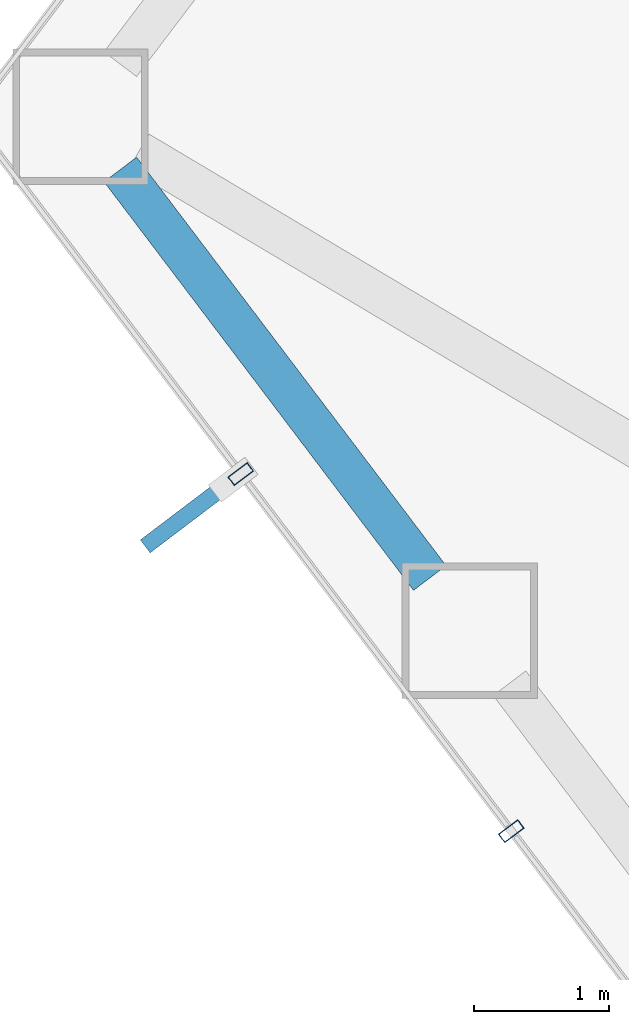
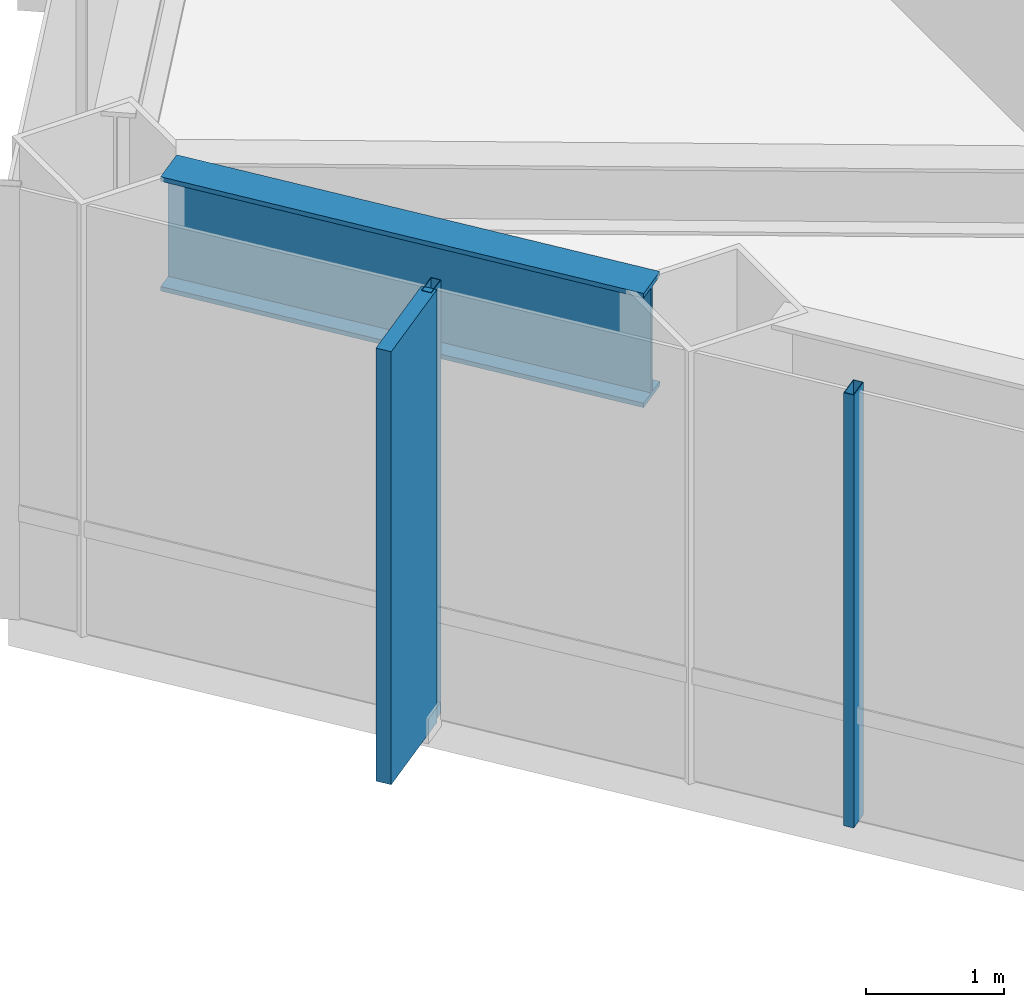
# One storey, part 4 of 25: 3 members, 1 beam, 1 element without a shape of its own.
"""IFC4 building model written with IfcOpenShell, lengths in metres."""

from ifc_helpers import new_model, si_unit, direction, frame, origin, origin_2d, place, context, subcontext, project, spatial, rectangle, hollow_rectangle, i_section, extrude, material, layer, layer_set, material_profile, profile_set, type_object, element, aggregate, save


model = new_model("IFC4")

# Units and contexts
model_context = context("Model", 3, precision=1e-05, world=origin(), true_north=direction((0.0, 1.0)))
body_context = subcontext(model_context, "Body", "Model", "MODEL_VIEW")
ifc_project = project(units=[si_unit("LENGTHUNIT", "METRE"), si_unit("AREAUNIT", "SQUARE_METRE"), si_unit("VOLUMEUNIT", "CUBIC_METRE"), si_unit("PLANEANGLEUNIT", "RADIAN"), si_unit("MASSUNIT", "GRAM", prefix="KILO")], contexts=[model_context])

# Site, building, storey
site_placement = place(None, origin())
site = spatial("IfcSite", under=ifc_project, at=site_placement, CompositionType="ELEMENT")
building_placement = place(site_placement, origin())
building = spatial("IfcBuilding", under=site, at=building_placement, Name="Zarrinselat Tower", CompositionType="ELEMENT")
storey_placement = place(building_placement, frame((0.0, 0.0, 56.10009765625)))
storey = spatial("IfcBuildingStorey", under=building, at=storey_placement, Name="L13", CompositionType="ELEMENT", Elevation=56.10009765625)

# Beam
ifc_material_1 = material(Name="Steel S460M", Category="steel")
ifc_material_profile_1 = material_profile(ifc_material_1, i_section(OverallWidth=0.302001953125, OverallDepth=1.008056640625, WebThickness=0.02099609375, FlangeThickness=0.0400390625, at=origin_2d()), Name="HEM 1000")
ifc_profile_set_1 = profile_set([ifc_material_profile_1], Name="Steel S460M")
beam_type = type_object("IfcBeamType", Name="BM-HEM1000", PredefinedType="BEAM", material=ifc_profile_set_1)
beam_placement = place(storey_placement, frame((16.787109375, 34.313232421875, 3.31591796875), z_axis=(0.603870096073, -0.797082747943, 0.0), x_axis=(0.797082747943, 0.603870096073, 0.0)))
element("IfcBeam", 1, at=beam_placement, inside=storey, type_object=beam_type, Name="L13 Perimeter Spandrel Girder SP06", PredefinedType="BEAM", context=body_context, shape_type="SweptSolid", body=[
    extrude(i_section(OverallWidth=0.302001953125, OverallDepth=1.008056640625, WebThickness=0.02099609375, FlangeThickness=0.0400390625, at=origin_2d()), origin(), (0.0, 0.0, 1.0), 3.788330078125),
])

# Curtain wall, members
ifc_material_2 = material(Name="Extruded Aluminium Alloy EN AW-6063 T6", Category="aluminium")
ifc_layer = layer(ifc_material_2, 0.18505859375)
ifc_layer_set = layer_set([ifc_layer], Name="Extruded Aluminium Alloy EN AW-6063 T6")
curtain_wall_type = type_object("IfcCurtainWallType", Name="CWS-OFF", PredefinedType="NOTDEFINED", material=ifc_layer_set)
curtain_wall_placement = place(storey_placement, origin())
curtain_wall = element("IfcCurtainWall", 2, at=curtain_wall_placement, inside=storey, type_object=curtain_wall_type, Name="L13 Unitised Curtain Wall CW-L13-E03", PredefinedType="NOTDEFINED")
ifc_material_3 = material(Name="Extruded Aluminium Alloy EN AW-6063 T6", Category="aluminium")
ifc_material_profile_2 = material_profile(ifc_material_3, hollow_rectangle(XDim=0.080078125, YDim=0.179931640625, WallThickness=0.0048828125, at=origin_2d()), Name="RHS 180x80x5")
ifc_profile_set_2 = profile_set([ifc_material_profile_2], Name="Extruded Aluminium Alloy EN AW-6063 T6")
member_type_1 = type_object("IfcMemberType", Name="MEM-CW-MUL", PredefinedType="MULLION", material=ifc_profile_set_2)
member_1_placement = place(storey_placement, frame((17.677001953125, 32.06201171875, 0.0), z_axis=(0.0, 0.0, 1.0), x_axis=(0.603861563254, -0.797089212337, 0.0)))
member_1 = element("IfcMember", 3, at=member_1_placement, type_object=member_type_1, Name="CW-L13-E03 Mullion 1", PredefinedType="MULLION", context=body_context, shape_type="SweptSolid", body=[
    extrude(hollow_rectangle(XDim=0.080078125, YDim=0.179931640625, WallThickness=0.0048828125, at=origin_2d()), origin(), (0.0, 0.0, 1.0), 3.81982421875),
])
member_2_placement = place(storey_placement, frame((19.677001953125, 29.422119140625, 0.0), z_axis=(0.0, 0.0, 1.0), x_axis=(0.603861563254, -0.797089212337, 0.0)))
member_2 = element("IfcMember", 4, at=member_2_placement, type_object=member_type_1, Name="CW-L13-E03 Mullion 2", PredefinedType="MULLION", context=body_context, shape_type="SweptSolid", body=[
    extrude(hollow_rectangle(XDim=0.080078125, YDim=0.179931640625, WallThickness=0.0048828125, at=origin_2d()), origin(), (0.0, 0.0, 1.0), 3.81982421875),
])
ifc_material_4 = material(Name="Honed Cream Travertine Stone", Category="masonry")
ifc_material_profile_3 = material_profile(ifc_material_4, rectangle(XDim=0.1201171875, YDim=0.85009765625, at=origin_2d()), Name="FIN 850x120")
ifc_profile_set_3 = profile_set([ifc_material_profile_3], Name="Honed Cream Travertine Stone")
member_type_2 = type_object("IfcMemberType", Name="MEM-STONE-FIN", PredefinedType="USERDEFINED", material=ifc_profile_set_3)
member_3_placement = place(storey_placement, frame((17.310302734375, 31.7841796875, 0.0), z_axis=(0.0, 0.0, 1.0), x_axis=(-0.603861563254, 0.797089212337, 0.0)))
member_3 = element("IfcMember", 5, at=member_3_placement, type_object=member_type_2, Name="L13 Stone Shading Fin CW-L13-E03-01", ObjectType="FIN", PredefinedType="USERDEFINED", context=body_context, shape_type="SweptSolid", body=[
    extrude(rectangle(XDim=0.1201171875, YDim=0.85009765625, at=origin_2d()), origin(), (0.0, 0.0, 1.0), 3.81982421875),
])
aggregate(curtain_wall, [member_1, member_3, member_2])

save(model, "model.ifc")
